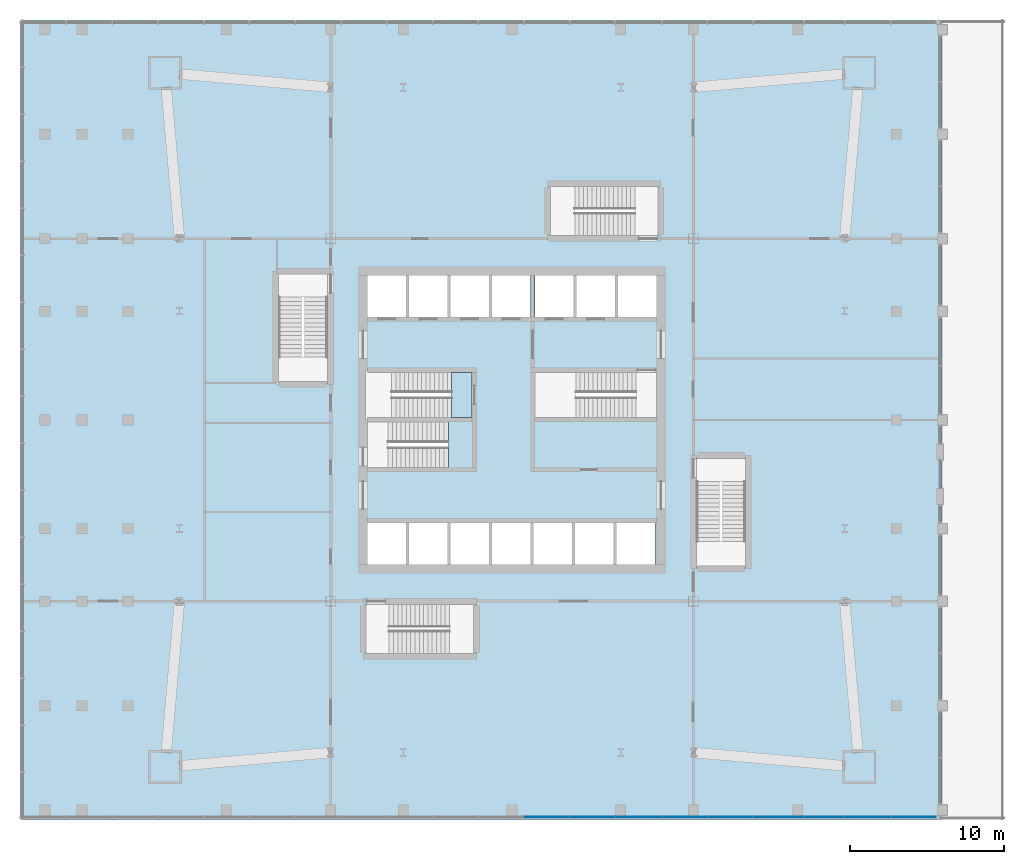
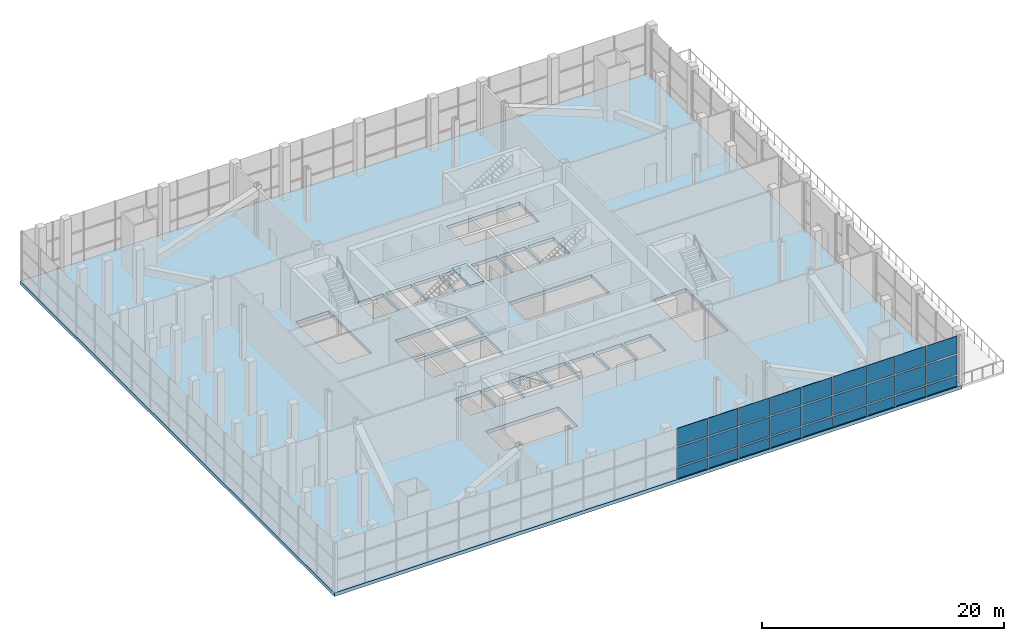
# One storey, part 9 of 17: 27 plates, 3 slabs, 3 elements without a shape of their own.
"""IFC4 building model written with IfcOpenShell, lengths in metres."""

from ifc_helpers import new_model, si_unit, direction, frame, origin, origin_2d, place, context, subcontext, project, spatial, polyline, rectangle, outline, extrude, material, layer, layer_set, type_object, element, aggregate, save


model = new_model("IFC4")

# Units and contexts
model_context = context("Model", 3, precision=1e-05, world=origin(), true_north=direction((0.0, 1.0)))
body_context = subcontext(model_context, "Body", "Model", "MODEL_VIEW")
ifc_project = project(units=[si_unit("LENGTHUNIT", "METRE"), si_unit("AREAUNIT", "SQUARE_METRE"), si_unit("VOLUMEUNIT", "CUBIC_METRE"), si_unit("PLANEANGLEUNIT", "RADIAN"), si_unit("MASSUNIT", "GRAM", prefix="KILO")], contexts=[model_context])

# Site, building, storey
site_placement = place(None, origin())
site = spatial("IfcSite", under=ifc_project, at=site_placement, CompositionType="ELEMENT")
building_placement = place(site_placement, origin())
building = spatial("IfcBuilding", under=site, at=building_placement, Name="Turquesa Mirador Hotel Tower", CompositionType="ELEMENT")
storey_placement = place(building_placement, frame((0.0, 0.0, 5.60009765625)))
storey = spatial("IfcBuildingStorey", under=building, at=storey_placement, Name="L01", CompositionType="ELEMENT", Elevation=5.60009765625)

# Curtain wall, plates
ifc_material_1 = material(Name="Aluminium extrusion", Category="aluminium")
curtain_wall_type = type_object("IfcCurtainWallType", Name="CW-2 PODIUM CURTAIN WALL", PredefinedType="USERDEFINED", material=ifc_material_1)
curtain_wall_placement = place(storey_placement, origin())
curtain_wall = element("IfcCurtainWall", 1, at=curtain_wall_placement, inside=storey, type_object=curtain_wall_type, Name="CW-2 PODIUM CURTAIN WALL L01", ObjectType="CURTAIN WALL", PredefinedType="USERDEFINED")
ifc_material_2 = material(Name="Ceramic-printed spandrel glass on an insulated back pan", Category="glass")
ifc_layer_1 = layer(ifc_material_2, 0.050048828125)
ifc_layer_set_1 = layer_set([ifc_layer_1], Name="CW PANEL SPANDREL CERAMIC")
plate_type_1 = type_object("IfcPlateType", Name="CW PANEL SPANDREL CERAMIC", PredefinedType="CURTAIN_PANEL", material=ifc_layer_set_1)
plate_1_placement = place(storey_placement, frame((57.27880859375, 19.14990234375, 0.0), z_axis=(0.0, 0.0, 1.0), x_axis=(1.0, 0.0, 0.0)))
plate_1 = element("IfcPlate", 2, at=plate_1_placement, type_object=plate_type_1, Name="Panel", PredefinedType="CURTAIN_PANEL", context=body_context, shape_type="SweptSolid", body=[
    extrude(rectangle(XDim=2.915771484375, YDim=0.050048828125, at=origin_2d()), origin(), (0.0, 0.0, 1.0), 1.02490234375),
])
plate_2_placement = place(storey_placement, frame((60.232421875, 19.14990234375, 0.0), z_axis=(0.0, 0.0, 1.0), x_axis=(1.0, 0.0, 0.0)))
plate_2 = element("IfcPlate", 3, at=plate_2_placement, type_object=plate_type_1, Name="Panel", PredefinedType="CURTAIN_PANEL", context=body_context, shape_type="SweptSolid", body=[
    extrude(rectangle(XDim=2.861083984375, YDim=0.050048828125, at=origin_2d()), origin(), (0.0, 0.0, 1.0), 1.02490234375),
])
plate_3_placement = place(storey_placement, frame((63.213134765625, 19.14990234375, 0.0), z_axis=(0.0, 0.0, 1.0), x_axis=(1.0, 0.0, 0.0)))
plate_3 = element("IfcPlate", 4, at=plate_3_placement, type_object=plate_type_1, Name="Panel", PredefinedType="CURTAIN_PANEL", context=body_context, shape_type="SweptSolid", body=[
    extrude(rectangle(XDim=2.970458984375, YDim=0.050048828125, at=origin_2d()), origin(), (0.0, 0.0, 1.0), 1.02490234375),
])
plate_4_placement = place(storey_placement, frame((66.22119140625, 19.14990234375, 0.0), z_axis=(0.0, 0.0, 1.0), x_axis=(1.0, 0.0, 0.0)))
plate_4 = element("IfcPlate", 5, at=plate_4_placement, type_object=plate_type_1, Name="Panel", PredefinedType="CURTAIN_PANEL", context=body_context, shape_type="SweptSolid", body=[
    extrude(rectangle(XDim=2.915771484375, YDim=0.050048828125, at=origin_2d()), origin(), (0.0, 0.0, 1.0), 1.02490234375),
])
plate_5_placement = place(storey_placement, frame((69.201904296875, 19.14990234375, 0.0), z_axis=(0.0, 0.0, 1.0), x_axis=(1.0, 0.0, 0.0)))
plate_5 = element("IfcPlate", 6, at=plate_5_placement, type_object=plate_type_1, Name="Panel", PredefinedType="CURTAIN_PANEL", context=body_context, shape_type="SweptSolid", body=[
    extrude(rectangle(XDim=2.915771484375, YDim=0.050048828125, at=origin_2d()), origin(), (0.0, 0.0, 1.0), 1.02490234375),
])
plate_6_placement = place(storey_placement, frame((72.33837890625, 19.14990234375, 0.0), z_axis=(0.0, 0.0, 1.0), x_axis=(1.0, 0.0, 0.0)))
plate_6 = element("IfcPlate", 7, at=plate_6_placement, type_object=plate_type_1, Name="Panel", PredefinedType="CURTAIN_PANEL", context=body_context, shape_type="SweptSolid", body=[
    extrude(rectangle(XDim=3.22705078125, YDim=0.050048828125, at=origin_2d()), origin(), (0.0, 0.0, 1.0), 1.02490234375),
])
plate_7_placement = place(storey_placement, frame((75.3193359375, 19.14990234375, 0.0), z_axis=(0.0, 0.0, 1.0), x_axis=(1.0, 0.0, 0.0)))
plate_7 = element("IfcPlate", 8, at=plate_7_placement, type_object=plate_type_1, Name="Panel", PredefinedType="CURTAIN_PANEL", context=body_context, shape_type="SweptSolid", body=[
    extrude(rectangle(XDim=2.6044921875, YDim=0.050048828125, at=origin_2d()), origin(), (0.0, 0.0, 1.0), 1.02490234375),
])
plate_8_placement = place(storey_placement, frame((78.144287109375, 19.14990234375, 0.0), z_axis=(0.0, 0.0, 1.0), x_axis=(1.0, 0.0, 0.0)))
plate_8 = element("IfcPlate", 9, at=plate_8_placement, type_object=plate_type_1, Name="Panel", PredefinedType="CURTAIN_PANEL", context=body_context, shape_type="SweptSolid", body=[
    extrude(rectangle(XDim=2.915771484375, YDim=0.050048828125, at=origin_2d()), origin(), (0.0, 0.0, 1.0), 1.02490234375),
])
plate_9_placement = place(storey_placement, frame((81.125, 19.14990234375, 0.0), z_axis=(0.0, 0.0, 1.0), x_axis=(1.0, 0.0, 0.0)))
plate_9 = element("IfcPlate", 10, at=plate_9_placement, type_object=plate_type_1, Name="Panel", PredefinedType="CURTAIN_PANEL", context=body_context, shape_type="SweptSolid", body=[
    extrude(rectangle(XDim=2.915771484375, YDim=0.050048828125, at=origin_2d()), origin(), (0.0, 0.0, 1.0), 1.02490234375),
])
ifc_material_3 = material(Name="Ceramic-fritted laminated glass", Category="glass")
ifc_layer_2 = layer(ifc_material_3, 0.031982421875)
ifc_layer_set_2 = layer_set([ifc_layer_2], Name="CW PANEL VISION FRITTED")
plate_type_2 = type_object("IfcPlateType", Name="CW PANEL VISION FRITTED", PredefinedType="CURTAIN_PANEL", material=ifc_layer_set_2)
plate_10_placement = place(storey_placement, frame((57.27880859375, 19.14990234375, 1.1748046875), z_axis=(0.0, 0.0, 1.0), x_axis=(1.0, 0.0, 0.0)))
plate_10 = element("IfcPlate", 11, at=plate_10_placement, type_object=plate_type_2, Name="Panel", PredefinedType="CURTAIN_PANEL", context=body_context, shape_type="SweptSolid", body=[
    extrude(rectangle(XDim=2.915771484375, YDim=0.031982421875, at=origin_2d()), origin(), (0.0, 0.0, 1.0), 1.949951171875),
])
plate_11_placement = place(storey_placement, frame((57.27880859375, 19.14990234375, 3.27490234375), z_axis=(0.0, 0.0, 1.0), x_axis=(1.0, 0.0, 0.0)))
plate_11 = element("IfcPlate", 12, at=plate_11_placement, type_object=plate_type_2, Name="Panel", PredefinedType="CURTAIN_PANEL", context=body_context, shape_type="SweptSolid", body=[
    extrude(rectangle(XDim=2.915771484375, YDim=0.031982421875, at=origin_2d()), origin(), (0.0, 0.0, 1.0), 1.77490234375),
])
plate_12_placement = place(storey_placement, frame((60.232421875, 19.14990234375, 1.1748046875), z_axis=(0.0, 0.0, 1.0), x_axis=(1.0, 0.0, 0.0)))
plate_12 = element("IfcPlate", 13, at=plate_12_placement, type_object=plate_type_2, Name="Panel", PredefinedType="CURTAIN_PANEL", context=body_context, shape_type="SweptSolid", body=[
    extrude(rectangle(XDim=2.861083984375, YDim=0.031982421875, at=origin_2d()), origin(), (0.0, 0.0, 1.0), 1.949951171875),
])
plate_13_placement = place(storey_placement, frame((60.232421875, 19.14990234375, 3.27490234375), z_axis=(0.0, 0.0, 1.0), x_axis=(1.0, 0.0, 0.0)))
plate_13 = element("IfcPlate", 14, at=plate_13_placement, type_object=plate_type_2, Name="Panel", PredefinedType="CURTAIN_PANEL", context=body_context, shape_type="SweptSolid", body=[
    extrude(rectangle(XDim=2.861083984375, YDim=0.031982421875, at=origin_2d()), origin(), (0.0, 0.0, 1.0), 1.77490234375),
])
plate_14_placement = place(storey_placement, frame((63.213134765625, 19.14990234375, 1.1748046875), z_axis=(0.0, 0.0, 1.0), x_axis=(1.0, 0.0, 0.0)))
plate_14 = element("IfcPlate", 15, at=plate_14_placement, type_object=plate_type_2, Name="Panel", PredefinedType="CURTAIN_PANEL", context=body_context, shape_type="SweptSolid", body=[
    extrude(rectangle(XDim=2.970458984375, YDim=0.031982421875, at=origin_2d()), origin(), (0.0, 0.0, 1.0), 1.949951171875),
])
plate_15_placement = place(storey_placement, frame((63.213134765625, 19.14990234375, 3.27490234375), z_axis=(0.0, 0.0, 1.0), x_axis=(1.0, 0.0, 0.0)))
plate_15 = element("IfcPlate", 16, at=plate_15_placement, type_object=plate_type_2, Name="Panel", PredefinedType="CURTAIN_PANEL", context=body_context, shape_type="SweptSolid", body=[
    extrude(rectangle(XDim=2.970458984375, YDim=0.031982421875, at=origin_2d()), origin(), (0.0, 0.0, 1.0), 1.77490234375),
])
plate_16_placement = place(storey_placement, frame((66.22119140625, 19.14990234375, 1.1748046875), z_axis=(0.0, 0.0, 1.0), x_axis=(1.0, 0.0, 0.0)))
plate_16 = element("IfcPlate", 17, at=plate_16_placement, type_object=plate_type_2, Name="Panel", PredefinedType="CURTAIN_PANEL", context=body_context, shape_type="SweptSolid", body=[
    extrude(rectangle(XDim=2.915771484375, YDim=0.031982421875, at=origin_2d()), origin(), (0.0, 0.0, 1.0), 1.949951171875),
])
plate_17_placement = place(storey_placement, frame((66.22119140625, 19.14990234375, 3.27490234375), z_axis=(0.0, 0.0, 1.0), x_axis=(1.0, 0.0, 0.0)))
plate_17 = element("IfcPlate", 18, at=plate_17_placement, type_object=plate_type_2, Name="Panel", PredefinedType="CURTAIN_PANEL", context=body_context, shape_type="SweptSolid", body=[
    extrude(rectangle(XDim=2.915771484375, YDim=0.031982421875, at=origin_2d()), origin(), (0.0, 0.0, 1.0), 1.77490234375),
])
plate_18_placement = place(storey_placement, frame((69.201904296875, 19.14990234375, 1.1748046875), z_axis=(0.0, 0.0, 1.0), x_axis=(1.0, 0.0, 0.0)))
plate_18 = element("IfcPlate", 19, at=plate_18_placement, type_object=plate_type_2, Name="Panel", PredefinedType="CURTAIN_PANEL", context=body_context, shape_type="SweptSolid", body=[
    extrude(rectangle(XDim=2.915771484375, YDim=0.031982421875, at=origin_2d()), origin(), (0.0, 0.0, 1.0), 1.949951171875),
])
plate_19_placement = place(storey_placement, frame((69.201904296875, 19.14990234375, 3.27490234375), z_axis=(0.0, 0.0, 1.0), x_axis=(1.0, 0.0, 0.0)))
plate_19 = element("IfcPlate", 20, at=plate_19_placement, type_object=plate_type_2, Name="Panel", PredefinedType="CURTAIN_PANEL", context=body_context, shape_type="SweptSolid", body=[
    extrude(rectangle(XDim=2.915771484375, YDim=0.031982421875, at=origin_2d()), origin(), (0.0, 0.0, 1.0), 1.77490234375),
])
plate_20_placement = place(storey_placement, frame((72.33837890625, 19.14990234375, 1.1748046875), z_axis=(0.0, 0.0, 1.0), x_axis=(1.0, 0.0, 0.0)))
plate_20 = element("IfcPlate", 21, at=plate_20_placement, type_object=plate_type_2, Name="Panel", PredefinedType="CURTAIN_PANEL", context=body_context, shape_type="SweptSolid", body=[
    extrude(rectangle(XDim=3.22705078125, YDim=0.031982421875, at=origin_2d()), origin(), (0.0, 0.0, 1.0), 1.949951171875),
])
plate_21_placement = place(storey_placement, frame((72.33837890625, 19.14990234375, 3.27490234375), z_axis=(0.0, 0.0, 1.0), x_axis=(1.0, 0.0, 0.0)))
plate_21 = element("IfcPlate", 22, at=plate_21_placement, type_object=plate_type_2, Name="Panel", PredefinedType="CURTAIN_PANEL", context=body_context, shape_type="SweptSolid", body=[
    extrude(rectangle(XDim=3.22705078125, YDim=0.031982421875, at=origin_2d()), origin(), (0.0, 0.0, 1.0), 1.77490234375),
])
plate_22_placement = place(storey_placement, frame((75.3193359375, 19.14990234375, 1.1748046875), z_axis=(0.0, 0.0, 1.0), x_axis=(1.0, 0.0, 0.0)))
plate_22 = element("IfcPlate", 23, at=plate_22_placement, type_object=plate_type_2, Name="Panel", PredefinedType="CURTAIN_PANEL", context=body_context, shape_type="SweptSolid", body=[
    extrude(rectangle(XDim=2.6044921875, YDim=0.031982421875, at=origin_2d()), origin(), (0.0, 0.0, 1.0), 1.949951171875),
])
plate_23_placement = place(storey_placement, frame((75.3193359375, 19.14990234375, 3.27490234375), z_axis=(0.0, 0.0, 1.0), x_axis=(1.0, 0.0, 0.0)))
plate_23 = element("IfcPlate", 24, at=plate_23_placement, type_object=plate_type_2, Name="Panel", PredefinedType="CURTAIN_PANEL", context=body_context, shape_type="SweptSolid", body=[
    extrude(rectangle(XDim=2.6044921875, YDim=0.031982421875, at=origin_2d()), origin(), (0.0, 0.0, 1.0), 1.77490234375),
])
plate_24_placement = place(storey_placement, frame((78.144287109375, 19.14990234375, 1.1748046875), z_axis=(0.0, 0.0, 1.0), x_axis=(1.0, 0.0, 0.0)))
plate_24 = element("IfcPlate", 25, at=plate_24_placement, type_object=plate_type_2, Name="Panel", PredefinedType="CURTAIN_PANEL", context=body_context, shape_type="SweptSolid", body=[
    extrude(rectangle(XDim=2.915771484375, YDim=0.031982421875, at=origin_2d()), origin(), (0.0, 0.0, 1.0), 1.949951171875),
])
plate_25_placement = place(storey_placement, frame((78.144287109375, 19.14990234375, 3.27490234375), z_axis=(0.0, 0.0, 1.0), x_axis=(1.0, 0.0, 0.0)))
plate_25 = element("IfcPlate", 26, at=plate_25_placement, type_object=plate_type_2, Name="Panel", PredefinedType="CURTAIN_PANEL", context=body_context, shape_type="SweptSolid", body=[
    extrude(rectangle(XDim=2.915771484375, YDim=0.031982421875, at=origin_2d()), origin(), (0.0, 0.0, 1.0), 1.77490234375),
])
plate_26_placement = place(storey_placement, frame((81.125, 19.14990234375, 1.1748046875), z_axis=(0.0, 0.0, 1.0), x_axis=(1.0, 0.0, 0.0)))
plate_26 = element("IfcPlate", 27, at=plate_26_placement, type_object=plate_type_2, Name="Panel", PredefinedType="CURTAIN_PANEL", context=body_context, shape_type="SweptSolid", body=[
    extrude(rectangle(XDim=2.915771484375, YDim=0.031982421875, at=origin_2d()), origin(), (0.0, 0.0, 1.0), 1.949951171875),
])
plate_27_placement = place(storey_placement, frame((81.125, 19.14990234375, 3.27490234375), z_axis=(0.0, 0.0, 1.0), x_axis=(1.0, 0.0, 0.0)))
plate_27 = element("IfcPlate", 28, at=plate_27_placement, type_object=plate_type_2, Name="Panel", PredefinedType="CURTAIN_PANEL", context=body_context, shape_type="SweptSolid", body=[
    extrude(rectangle(XDim=2.915771484375, YDim=0.031982421875, at=origin_2d()), origin(), (0.0, 0.0, 1.0), 1.77490234375),
])
aggregate(curtain_wall, [plate_1, plate_10, plate_11, plate_2, plate_12, plate_13, plate_3, plate_14, plate_15, plate_4, plate_16, plate_17, plate_5, plate_18, plate_19, plate_6, plate_20, plate_21, plate_7, plate_22, plate_23, plate_8, plate_24, plate_25, plate_9, plate_26, plate_27])

# Slab
ifc_material_4 = material(Name="Concrete C40/50", Category="concrete")
ifc_layer_3 = layer(ifc_material_4, 0.35009765625)
ifc_layer_set_3 = layer_set([ifc_layer_3], Name="FLAT SLAB 350")
slab_type_1 = type_object("IfcSlabType", Name="FLAT SLAB 350", PredefinedType="FLOOR", material=ifc_layer_set_3)
slab_1_placement = place(storey_placement, frame((0.0, 0.0, -0.35009765625)))
element("IfcSlab", 29, at=slab_1_placement, inside=storey, type_object=slab_type_1, Name="Floor slab L01", PredefinedType="FLOOR", context=body_context, shape_type="SweptSolid", body=[
    extrude(outline(polyline([(23.0, 19.0), (83.0, 19.0), (83.0, 71.0), (23.0, 71.0), (23.0, 19.0)]), holes=[polyline([(45.60009765625, 51.699951171875), (48.10009765625, 51.699951171875), (48.10009765625, 54.39990234375), (45.60009765625, 54.39990234375), (45.60009765625, 51.699951171875)]), polyline([(48.300048828125, 51.699951171875), (50.800048828125, 51.699951171875), (50.800048828125, 54.39990234375), (48.300048828125, 54.39990234375), (48.300048828125, 51.699951171875)]), polyline([(51.0, 51.699951171875), (53.5, 51.699951171875), (53.5, 54.39990234375), (51.0, 54.39990234375), (51.0, 51.699951171875)]), polyline([(53.699951171875, 51.699951171875), (56.199951171875, 51.699951171875), (56.199951171875, 54.39990234375), (53.699951171875, 54.39990234375), (53.699951171875, 51.699951171875)]), polyline([(56.5, 51.699951171875), (59.0, 51.699951171875), (59.0, 54.39990234375), (56.5, 54.39990234375), (56.5, 51.699951171875)]), polyline([(59.199951171875, 51.699951171875), (61.699951171875, 51.699951171875), (61.699951171875, 54.39990234375), (59.199951171875, 54.39990234375), (59.199951171875, 51.699951171875)]), polyline([(45.60009765625, 35.60009765625), (48.10009765625, 35.60009765625), (48.10009765625, 38.300048828125), (45.60009765625, 38.300048828125), (45.60009765625, 35.60009765625)]), polyline([(48.300048828125, 35.60009765625), (50.800048828125, 35.60009765625), (50.800048828125, 38.300048828125), (48.300048828125, 38.300048828125), (48.300048828125, 35.60009765625)]), polyline([(51.0, 35.60009765625), (53.5, 35.60009765625), (53.5, 38.300048828125), (51.0, 38.300048828125), (51.0, 35.60009765625)]), polyline([(53.699951171875, 35.60009765625), (56.199951171875, 35.60009765625), (56.199951171875, 38.300048828125), (53.699951171875, 38.300048828125), (53.699951171875, 35.60009765625)]), polyline([(56.39990234375, 35.60009765625), (58.89990234375, 35.60009765625), (58.89990234375, 38.300048828125), (56.39990234375, 38.300048828125), (56.39990234375, 35.60009765625)]), polyline([(59.10009765625, 35.60009765625), (61.60009765625, 35.60009765625), (61.60009765625, 38.300048828125), (59.10009765625, 38.300048828125), (59.10009765625, 35.60009765625)]), polyline([(61.800048828125, 35.60009765625), (64.300048828125, 35.60009765625), (64.300048828125, 38.300048828125), (61.800048828125, 38.300048828125), (61.800048828125, 35.60009765625)]), polyline([(45.60009765625, 45.14990234375), (52.39990234375, 45.14990234375), (52.39990234375, 48.10009765625), (45.60009765625, 48.10009765625), (45.60009765625, 45.14990234375)]), polyline([(45.60009765625, 41.89990234375), (52.39990234375, 41.89990234375), (52.39990234375, 44.85009765625), (45.60009765625, 44.85009765625), (45.60009765625, 41.89990234375)]), polyline([(56.5, 45.14990234375), (64.39990234375, 45.14990234375), (64.39990234375, 48.10009765625), (56.5, 48.10009765625), (56.5, 45.14990234375)]), polyline([(61.89990234375, 51.699951171875), (64.39990234375, 51.699951171875), (64.39990234375, 54.39990234375), (61.89990234375, 54.39990234375), (61.89990234375, 51.699951171875)]), polyline([(57.5, 57.0), (64.5, 57.0), (64.5, 60.199951171875), (57.5, 60.199951171875), (57.5, 57.0)]), polyline([(45.5, 29.800048828125), (52.5, 29.800048828125), (52.5, 33.0), (45.5, 33.0), (45.5, 29.800048828125)]), polyline([(67.0, 35.5), (70.199951171875, 35.5), (70.199951171875, 42.5), (67.0, 42.5), (67.0, 35.5)]), polyline([(39.800048828125, 47.5), (43.0, 47.5), (43.0, 54.5), (39.800048828125, 54.5), (39.800048828125, 47.5)])]), origin(), (0.0, 0.0, 1.0), 0.35009765625),
])

# Stair, slab
ifc_material_5 = material(Name="Concrete C35/45", Category="concrete")
stair_type = type_object("IfcStairType", Name="ESCAPE STAIR CORE", PredefinedType="HALF_TURN_STAIR", material=ifc_material_5)
stair_1_placement = place(storey_placement, origin())
stair_1 = element("IfcStair", 30, at=stair_1_placement, inside=storey, type_object=stair_type, Name="Stair ST1 L01 to L02", PredefinedType="HALF_TURN_STAIR")
ifc_material_6 = material(Name="Concrete C35/45", Category="concrete")
ifc_layer_4 = layer(ifc_material_6, 0.300048828125)
ifc_layer_set_4 = layer_set([ifc_layer_4], Name="STAIR LANDING 300")
slab_type_2 = type_object("IfcSlabType", Name="STAIR LANDING 300", PredefinedType="LANDING", material=ifc_layer_set_4)
slab_2_placement = place(storey_placement, frame((0.0, 0.0, 5.099853515625)))
slab_2 = element("IfcSlab", 31, at=slab_2_placement, type_object=slab_type_2, Name="ST1 landing 2", PredefinedType="LANDING", context=body_context, shape_type="SweptSolid", body=[
    extrude(outline(polyline([(51.070068359375, 45.14990234375), (52.39990234375, 45.14990234375), (52.39990234375, 48.10009765625), (51.070068359375, 48.10009765625), (51.070068359375, 45.14990234375)])), origin(), (0.0, 0.0, 1.0), 0.300048828125),
])
aggregate(stair_1, [slab_2])

stair_2_placement = place(storey_placement, origin())
stair_2 = element("IfcStair", 32, at=stair_2_placement, inside=storey, type_object=stair_type, Name="Stair ST2 L01 to L02", PredefinedType="HALF_TURN_STAIR")
slab_3_placement = place(storey_placement, frame((0.0, 0.0, 2.39990234375)))
slab_3 = element("IfcSlab", 33, at=slab_3_placement, type_object=slab_type_2, Name="ST2 landing 1", PredefinedType="LANDING", context=body_context, shape_type="SweptSolid", body=[
    extrude(outline(polyline([(52.550048828125, 45.0), (50.85009765625, 45.0), (50.85009765625, 41.75), (52.550048828125, 41.75), (52.550048828125, 45.0)])), origin(), (0.0, 0.0, 1.0), 0.300048828125),
])
aggregate(stair_2, [slab_3])

save(model, "model.ifc")
